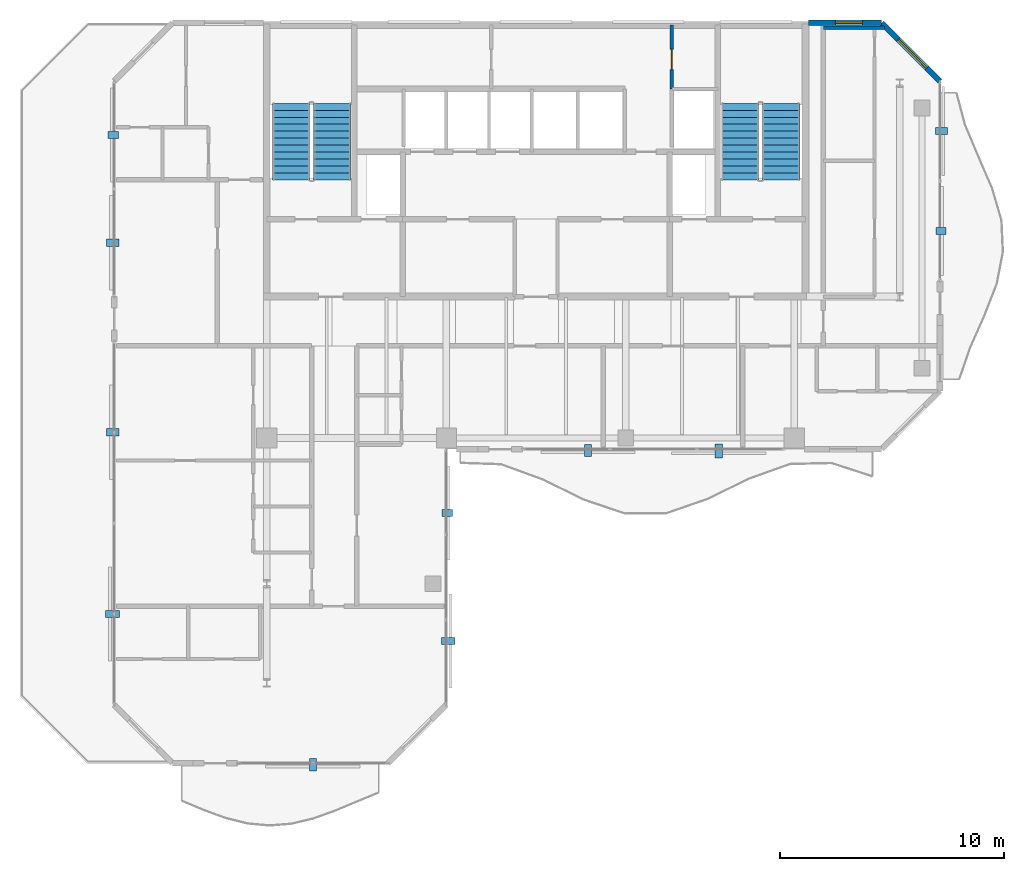
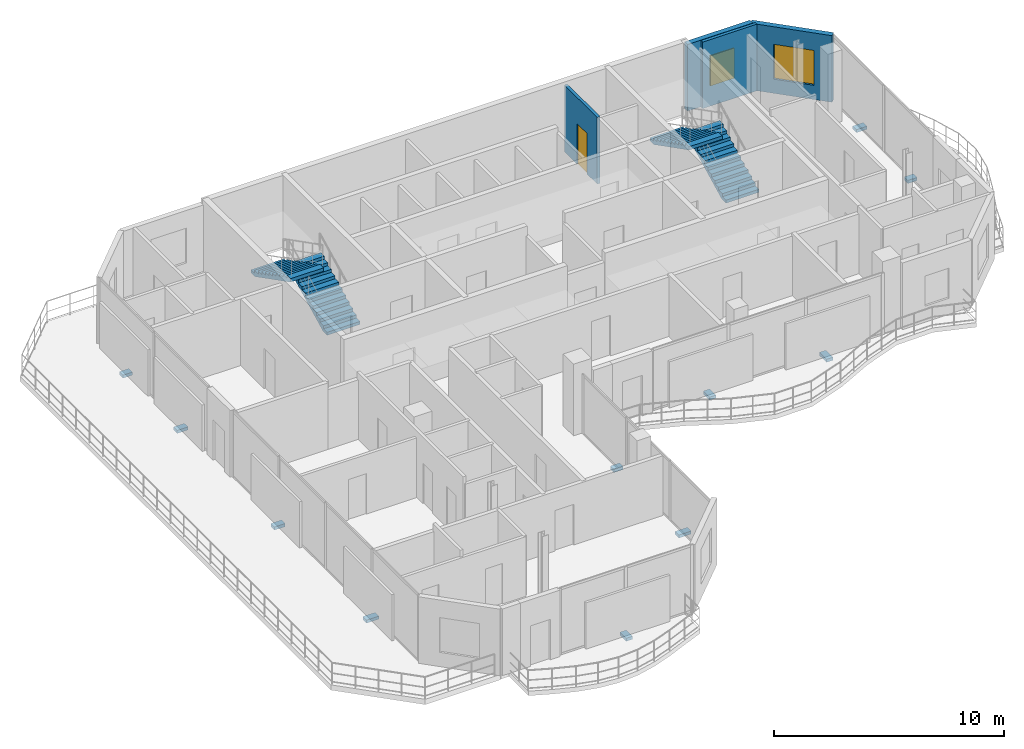
# One storey, part 16 of 18: 11 discrete accessories, 4 stair flights, 4 walls, 2 windows, 1 door, 3 openings, 2 elements without a shape of their own.
"""IFC4 building model written with IfcOpenShell, lengths in metres."""

import ifcopenshell
import ifcopenshell.guid

model = None  # the IFC model being written
_history = None  # IfcOwnerHistory: only IFC2X3 demands one
_inside = {}  # id of a spatial element -> (the spatial element, [elements in it])
_under = {}  # id of a project, library or spatial element -> (it, [spatial elements below it])
_declared = {}  # id of a project -> (the project, [libraries it declares])
_typed = {}  # id of a type object -> (the type object, [elements of that type])
_made_of = {}  # id of a material, layer set ... -> (it, [elements and type objects made of it])


def new_model(schema):
    """Start an empty IFC model of exactly this schema.

    Asked for "IFC4X3", IfcOpenShell would pick the latest addendum, in which some entities
    have other attributes; the version numbers below select the first issue.
    IFC2X3 requires an IfcOwnerHistory on every rooted entity: one is made here for all.
    """
    global model, _history
    if schema == "IFC4X3":
        model = ifcopenshell.file(schema_version=(4, 3, 0, 0))
    else:
        model = ifcopenshell.file(schema=schema)
    _inside.clear()
    _under.clear()
    _declared.clear()
    _typed.clear()
    _made_of.clear()
    _history = None
    if model.schema == "IFC2X3":
        org = make("IfcOrganization", Name="unknown")
        user = make(
            "IfcPersonAndOrganization",
            ThePerson=make("IfcPerson", FamilyName="unknown"),
            TheOrganization=org,
        )
        app = make(
            "IfcApplication",
            ApplicationDeveloper=org,
            Version="unknown",
            ApplicationFullName="unknown",
            ApplicationIdentifier="unknown",
        )
        _history = make(
            "IfcOwnerHistory",
            OwningUser=user,
            OwningApplication=app,
            ChangeAction="ADDED",
            CreationDate=0,
        )
    return model


def make(cls, **values):
    """One entity of the class cls with the attributes given. An attribute that is None is left unset."""
    return model.create_entity(
        cls, **{name: value for name, value in values.items() if value is not None}
    )


def rooted(cls, **values):
    """An entity with a GlobalId (a new one), such as an element, a storey or a relation."""
    return make(cls, GlobalId=ifcopenshell.guid.new(), OwnerHistory=_history, **values)


def si_unit(unit_type, name, prefix=None):
    """IfcSIUnit, for example si_unit("LENGTHUNIT", "METRE", prefix="MILLI")."""
    return make("IfcSIUnit", UnitType=unit_type, Prefix=prefix, Name=name)


def assignment(units):
    """IfcUnitAssignment: the units of a project."""
    return None if units is None else make("IfcUnitAssignment", Units=units)


def point(xyz):
    """IfcCartesianPoint."""
    return None if xyz is None else make("IfcCartesianPoint", Coordinates=xyz)


def direction(xyz):
    """IfcDirection."""
    return None if xyz is None else make("IfcDirection", DirectionRatios=xyz)


def frame(location, z_axis=None, x_axis=None):
    """IfcAxis2Placement3D, a coordinate frame: its origin and axes. An axis left out is left unset."""
    return make(
        "IfcAxis2Placement3D",
        Location=point(location),
        Axis=direction(z_axis),
        RefDirection=direction(x_axis),
    )


def frame_2d(location, x_axis=None):
    """IfcAxis2Placement2D, a coordinate frame in the plane: its origin and x axis."""
    return make(
        "IfcAxis2Placement2D", Location=point(location), RefDirection=direction(x_axis)
    )


def origin():
    """The frame at (0, 0, 0) with its axes left unset."""
    return frame((0.0, 0.0, 0.0))


def origin_2d():
    """The frame at (0, 0) in the plane with its x axis left unset."""
    return frame_2d((0.0, 0.0))


def place(relative_to, where):
    """IfcLocalPlacement: puts the frame where relative to a parent placement (None: the world)."""
    return make(
        "IfcLocalPlacement", PlacementRelTo=relative_to, RelativePlacement=where
    )


def context(
    kind, dimensions, precision=None, world=None, true_north=None, identifier=None
):
    """IfcGeometricRepresentationContext, for example the 3D "Model" context."""
    return make(
        "IfcGeometricRepresentationContext",
        ContextIdentifier=identifier,
        ContextType=kind,
        CoordinateSpaceDimension=dimensions,
        Precision=precision,
        WorldCoordinateSystem=world,
        TrueNorth=true_north,
    )


def subcontext(parent, identifier, kind, view, scale=None):
    """IfcGeometricRepresentationSubContext, for example "Body" below "Model"."""
    return make(
        "IfcGeometricRepresentationSubContext",
        ContextIdentifier=identifier,
        ContextType=kind,
        ParentContext=parent,
        TargetScale=scale,
        TargetView=view,
    )


def project(units=None, contexts=None):
    """IfcProject with its units and contexts."""
    return rooted(
        "IfcProject",
        Name="project",
        RepresentationContexts=contexts,
        UnitsInContext=assignment(units),
    )


def spatial(cls, under=None, at=None, **own):
    """A site, building, storey or space (cls), placed at a placement, below another one or the project."""
    s = rooted(cls, ObjectPlacement=at, **own)
    if under is not None:
        _under.setdefault(under.id(), (under, []))[1].append(s)
    return s


def polyline(points):
    """IfcPolyline through the points."""
    return make("IfcPolyline", Points=[point(p) for p in points])


def profile(cls, at=None, kind="AREA", **sizes):
    """A parametric profile (cls). Its sizes go by their IFC names, for example OverallWidth=200.0."""
    return make(cls, ProfileType=kind, Position=at, **sizes)


def rectangle(**sizes):
    """IfcRectangleProfileDef."""
    return profile("IfcRectangleProfileDef", **sizes)


def outline(outer, holes=None, kind="AREA"):
    """IfcArbitraryClosedProfileDef: a profile drawn as a closed curve; with holes, ...WithVoids."""
    if holes is None:
        return make("IfcArbitraryClosedProfileDef", ProfileType=kind, OuterCurve=outer)
    return make(
        "IfcArbitraryProfileDefWithVoids",
        ProfileType=kind,
        OuterCurve=outer,
        InnerCurves=holes,
    )


def extrude(swept, where, along, depth):
    """IfcExtrudedAreaSolid: the profile swept, set in the frame where, extruded along a direction by depth."""
    return make(
        "IfcExtrudedAreaSolid",
        SweptArea=swept,
        Position=where,
        ExtrudedDirection=direction(along),
        Depth=depth,
    )


def shape(context_of_items, identifier, shape_type, items):
    """IfcShapeRepresentation: the items that make up one representation, for example the "Body"."""
    return make(
        "IfcShapeRepresentation",
        ContextOfItems=context_of_items,
        RepresentationIdentifier=identifier,
        RepresentationType=shape_type,
        Items=items,
    )


def material(Name=None, Category=None):
    """IfcMaterial."""
    return make("IfcMaterial", Name=Name, Category=Category)


def layer(
    of_material, thickness, ventilated=None, Name=None, Category=None, Priority=None
):
    """IfcMaterialLayer: one layer of a wall or slab, of a material (None: an air gap)."""
    return make(
        "IfcMaterialLayer",
        Material=of_material,
        LayerThickness=thickness,
        IsVentilated=ventilated,
        Name=Name,
        Category=Category,
        Priority=Priority,
    )


def layer_set(layers, Name=None):
    """IfcMaterialLayerSet."""
    return make("IfcMaterialLayerSet", MaterialLayers=layers, LayerSetName=Name)


def made_of(thing, what):
    """Note that an element or type object is made of a material, layer set ...; save() writes the relation."""
    if what is not None:
        _made_of.setdefault(what.id(), (what, []))[1].append(thing)
    return thing


def type_object(cls, material=None, **own):
    """A type object (cls), such as IfcWallType, which elements share."""
    return made_of(rooted(cls, **own), material)


def element(
    cls,
    number,
    at=None,
    inside=None,
    cuts=None,
    type_object=None,
    material=None,
    context=None,
    identifier="Body",
    shape_type=None,
    held_by="IfcProductDefinitionShape",
    body=None,
    shapes=None,
    **own,
):
    """One element of the class cls, such as IfcWall. Its Tag is "e" and its number.

    at: its placement. inside: the storey or other place that contains it. cuts: it is an
    opening in that element (IfcRelVoidsElement). A single representation is given by context,
    identifier, shape_type and body (its items); several are given by shapes. held_by: the class
    of the entity that holds the representations. save() writes the other relations.
    """
    e = rooted(cls, Tag="e%d" % number, ObjectPlacement=at, **own)
    if body is not None:
        shapes = [shape(context, identifier, shape_type, body)]
    if shapes is not None:
        e.Representation = make(held_by, Representations=shapes)
    if inside is not None:
        _inside.setdefault(inside.id(), (inside, []))[1].append(e)
    if cuts is not None:
        rooted(
            "IfcRelVoidsElement", RelatingBuildingElement=cuts, RelatedOpeningElement=e
        )
    if type_object is not None:
        _typed.setdefault(type_object.id(), (type_object, []))[1].append(e)
    return made_of(e, material)


def fill(opening, filler):
    """IfcRelFillsElement: the door or window that sits in an opening."""
    return rooted(
        "IfcRelFillsElement",
        RelatingOpeningElement=opening,
        RelatedBuildingElement=filler,
    )


def aggregate(whole, parts):
    """IfcRelAggregates: a whole, such as a stair, and the parts it consists of."""
    return rooted("IfcRelAggregates", RelatingObject=whole, RelatedObjects=parts)


def save(model, path):
    """Write the relations noted so far, then the file.

    IfcRelAggregates (storeys below a building ...), IfcRelContainedInSpatialStructure (elements
    in a storey), IfcRelDefinesByType, IfcRelAssociatesMaterial and IfcRelDeclares: one each for
    every whole, place, type object, material and project.
    """
    for whole, parts in _under.values():
        aggregate(whole, parts)
    for where, things in _inside.values():
        rooted(
            "IfcRelContainedInSpatialStructure",
            RelatedElements=things,
            RelatingStructure=where,
        )
    for kind, things in _typed.values():
        rooted("IfcRelDefinesByType", RelatedObjects=things, RelatingType=kind)
    for what, things in _made_of.values():
        rooted("IfcRelAssociatesMaterial", RelatedObjects=things, RelatingMaterial=what)
    for by, libraries in _declared.values():
        rooted("IfcRelDeclares", RelatingContext=by, RelatedDefinitions=libraries)
    model.write(path)


model = new_model("IFC4")

# Units and contexts
model_context = context("Model", 3, precision=1e-05, world=origin(), true_north=direction((0.0, 1.0)))
body_context = subcontext(model_context, "Body", "Model", "MODEL_VIEW")
ifc_project = project(units=[si_unit("LENGTHUNIT", "METRE"), si_unit("AREAUNIT", "SQUARE_METRE"), si_unit("VOLUMEUNIT", "CUBIC_METRE"), si_unit("PLANEANGLEUNIT", "RADIAN"), si_unit("MASSUNIT", "GRAM", prefix="KILO")], contexts=[model_context])

# Site, building, storey
site_placement = place(None, origin())
site = spatial("IfcSite", under=ifc_project, at=site_placement, CompositionType="ELEMENT")
building_placement = place(site_placement, origin())
building = spatial("IfcBuilding", under=site, at=building_placement, Name="Catumbela Crestline Tower", CompositionType="ELEMENT")
storey_placement = place(building_placement, frame((0.0, 0.0, 264.0)))
storey = spatial("IfcBuildingStorey", under=building, at=storey_placement, Name="L68", CompositionType="ELEMENT", Elevation=264.0)

# Wall, opening, window
ifc_material_1 = material(Name="Angolan grey-ochre granite", Category="masonry")
ifc_layer_1 = layer(ifc_material_1, 0.25, Name="Angolan grey-ochre granite")
ifc_layer_set_1 = layer_set([ifc_layer_1], Name="Angolan grey-ochre granite")
wall_type_1 = type_object("IfcWallType", Name="WE-250", PredefinedType="STANDARD", material=ifc_layer_set_1)
wall_1_placement = place(storey_placement, frame((46.0, 40.4, 0.0), z_axis=(0.0, 0.0, 1.0), x_axis=(-0.707106781187, 0.707106781187, 0.0)))
wall_1 = element("IfcWall", 1, at=wall_1_placement, inside=storey, type_object=wall_type_1, Name="L68 Granite Punched Window Wall 6-1", PredefinedType="STANDARD", context=body_context, shape_type="SweptSolid", body=[
    extrude(rectangle(XDim=3.677, YDim=0.25, at=frame_2d((1.8385, 0.0))), origin(), (0.0, 0.0, 1.0), 3.53),
])
opening_1_placement = place(wall_1_placement, frame((0.8283, 0.0, 0.75)))
opening_1 = element("IfcOpeningElement", 2, at=opening_1_placement, cuts=wall_1, Name="Opening WN-01", PredefinedType="OPENING", context=body_context, shape_type="SweptSolid", body=[
    extrude(rectangle(XDim=1.8, YDim=1.85, at=frame_2d((0.9, 0.925))), frame((0.0, 0.135, 0.0), z_axis=(0.0, -1.0, 0.0), x_axis=(1.0, 0.0, 0.0)), (0.0, 0.0, 1.0), 0.27),
])
ifc_material_2 = material(Name="Low-E laminated solar-control double glazing", Category="glass")
window_type_1 = type_object("IfcWindowType", Name="WF-1800", PartitioningType="SINGLE_PANEL", PredefinedType="WINDOW", material=ifc_material_2)
window_1_placement = place(opening_1_placement, origin())
window_1 = element("IfcWindow", 3, at=window_1_placement, inside=storey, type_object=window_type_1, Name="L68 Facade Vision Window 533", OverallHeight=1.85, OverallWidth=1.8, PartitioningType="SINGLE_PANEL", PredefinedType="WINDOW", context=body_context, shape_type="SweptSolid", body=[
    extrude(rectangle(XDim=1.8, YDim=1.85, at=frame_2d((0.9, 0.925))), frame((0.0, 0.03, 0.0), z_axis=(0.0, -1.0, 0.0), x_axis=(1.0, 0.0, 0.0)), (0.0, 0.0, 1.0), 0.06),
])
fill(opening_1, window_1)

wall_2_placement = place(storey_placement, frame((43.4, 43.0, 0.0), z_axis=(0.0, 0.0, 1.0), x_axis=(-1.0, 0.0, 0.0)))
wall_2 = element("IfcWall", 4, at=wall_2_placement, inside=storey, type_object=wall_type_1, Name="L68 Granite Punched Window Wall 7-1", PredefinedType="STANDARD", context=body_context, shape_type="SweptSolid", body=[
    extrude(rectangle(XDim=3.26, YDim=0.25, at=frame_2d((1.63, 0.0))), origin(), (0.0, 0.0, 1.0), 3.53),
])
opening_2_placement = place(wall_2_placement, frame((0.86, 0.0, 0.85)))
opening_2 = element("IfcOpeningElement", 5, at=opening_2_placement, cuts=wall_2, Name="Opening WN-02", PredefinedType="OPENING", context=body_context, shape_type="SweptSolid", body=[
    extrude(rectangle(XDim=1.2, YDim=1.6, at=frame_2d((0.6, 0.8))), frame((0.0, 0.135, 0.0), z_axis=(0.0, -1.0, 0.0), x_axis=(1.0, 0.0, 0.0)), (0.0, 0.0, 1.0), 0.27),
])
window_type_2 = type_object("IfcWindowType", Name="WO-1200", PartitioningType="SINGLE_PANEL", PredefinedType="WINDOW", material=ifc_material_2)
window_2_placement = place(opening_2_placement, origin())
window_2 = element("IfcWindow", 6, at=window_2_placement, inside=storey, type_object=window_type_2, Name="L68 Facade Vision Window 534", OverallHeight=1.6, OverallWidth=1.2, PartitioningType="SINGLE_PANEL", PredefinedType="WINDOW", context=body_context, shape_type="SweptSolid", body=[
    extrude(rectangle(XDim=1.2, YDim=1.6, at=frame_2d((0.6, 0.8))), frame((0.0, 0.03, 0.0), z_axis=(0.0, -1.0, 0.0), x_axis=(1.0, 0.0, 0.0)), (0.0, 0.0, 1.0), 0.06),
])
fill(opening_2, window_2)

# Wall, opening, door
ifc_material_3 = material(Name="Acoustic gypsum and mineral-wool partition")
ifc_layer_2 = layer(ifc_material_3, 0.15, Name="Acoustic gypsum and mineral-wool partition")
ifc_layer_set_2 = layer_set([ifc_layer_2], Name="Acoustic gypsum and mineral-wool partition")
wall_type_2 = type_object("IfcWallType", Name="WP-150", PredefinedType="PARTITIONING", material=ifc_layer_set_2)
wall_3_placement = place(storey_placement, frame((34.05, 40.05, 0.0), z_axis=(0.0, 0.0, 1.0), x_axis=(0.0, 1.0, 0.0)))
wall_3 = element("IfcWall", 7, at=wall_3_placement, inside=storey, type_object=wall_type_2, Name="L68 Interior Partition PW-L68-CR-EW", PredefinedType="PARTITIONING", context=body_context, shape_type="SweptSolid", body=[
    extrude(rectangle(XDim=2.85, YDim=0.15, at=frame_2d((1.425, 0.0))), origin(), (0.0, 0.0, 1.0), 3.53),
])
opening_3_placement = place(wall_3_placement, frame((0.865, 0.0, 0.0)))
opening_3 = element("IfcOpeningElement", 8, at=opening_3_placement, cuts=wall_3, Name="Opening DF9-090", PredefinedType="OPENING", context=body_context, shape_type="SweptSolid", body=[
    extrude(rectangle(XDim=0.9, YDim=2.15, at=frame_2d((0.45, 1.075))), frame((0.0, 0.085, 0.0), z_axis=(0.0, -1.0, 0.0), x_axis=(1.0, 0.0, 0.0)), (0.0, 0.0, 1.0), 0.17),
])
ifc_material_4 = material(Name="Stainless steel EN 1.4401", Category="steel")
door_type = type_object("IfcDoorType", Name="DF9-090", OperationType="NOTDEFINED", PredefinedType="DOOR", material=ifc_material_4)
door_placement = place(opening_3_placement, origin())
door = element("IfcDoor", 9, at=door_placement, inside=storey, type_object=door_type, Name="L68 Interior Door DR-L68-CREAST", OperationType="SINGLE_SWING_RIGHT", OverallHeight=2.15, OverallWidth=0.9, PredefinedType="DOOR", context=body_context, shape_type="SweptSolid", body=[
    extrude(rectangle(XDim=0.9, YDim=2.15, at=frame_2d((0.45, 1.075))), frame((0.0, 0.025, 0.0), z_axis=(0.0, -1.0, 0.0), x_axis=(1.0, 0.0, 0.0)), (0.0, 0.0, 1.0), 0.05),
])
fill(opening_3, door)

# Wall
wall_4_placement = place(storey_placement, frame((40.8, 42.78, 0.0), z_axis=(0.0, 0.0, 1.0), x_axis=(1.0, 0.0, 0.0)))
element("IfcWall", 10, at=wall_4_placement, inside=storey, type_object=wall_type_2, Name="L68 Interior Partition PW-L68-NE1-BTH-BCL-2", PredefinedType="PARTITIONING", context=body_context, shape_type="SweptSolid", body=[
    extrude(rectangle(XDim=2.72, YDim=0.15, at=frame_2d((1.36, 0.0))), origin(), (0.0, 0.0, 1.0), 3.53),
])

# Stair, stair flights
ifc_material_5 = material(Name="Concrete C45/55", Category="concrete")
stair_type = type_object("IfcStairType", Name="ST-DLG", PredefinedType="HALF_TURN_STAIR", material=ifc_material_5)
stair_1_placement = place(storey_placement, origin())
stair_1 = element("IfcStair", 11, at=stair_1_placement, inside=storey, type_object=stair_type, Name="L68 West Core Pressurised Exit Stair ST-01", PredefinedType="HALF_TURN_STAIR")
stair_flight_type = type_object("IfcStairFlightType", Name="SF-1583", PredefinedType="STRAIGHT", material=ifc_material_5)
stair_flight_1_placement = place(storey_placement, frame((18.92, 36.0, 0.0), z_axis=(0.0, 0.0, 1.0), x_axis=(0.0, 1.0, 0.0)))
stair_flight_1 = element("IfcStairFlight", 12, at=stair_flight_1_placement, type_object=stair_flight_type, Name="ST-01 flight 1", NumberOfRisers=12, NumberOfTreads=11, PredefinedType="STRAIGHT", RiserHeight=0.158333333, TreadLength=0.31, context=body_context, shape_type="SweptSolid", body=[
    extrude(outline(polyline([(0.0, 0.0), (0.0, 0.1583), (0.31, 0.1583), (0.31, 0.3167), (0.62, 0.3167), (0.62, 0.475), (0.93, 0.475), (0.93, 0.6333), (1.24, 0.6333), (1.24, 0.7917), (1.55, 0.7917), (1.55, 0.95), (1.86, 0.95), (1.86, 1.1083), (2.17, 1.1083), (2.17, 1.2667), (2.48, 1.2667), (2.48, 1.425), (2.79, 1.425), (2.79, 1.5833), (3.1, 1.5833), (3.1, 1.7417), (3.41, 1.7417), (3.41, 1.9), (3.41, 1.562), (0.3518, 0.0), (0.0, 0.0)])), frame((0.0, 0.83, 0.0), z_axis=(0.0, -1.0, 0.0), x_axis=(1.0, 0.0, 0.0)), (0.0, 0.0, 1.0), 1.66),
])
stair_flight_2_placement = place(storey_placement, frame((17.08, 39.41, 1.9), z_axis=(0.0, 0.0, 1.0), x_axis=(0.0, -1.0, 0.0)))
stair_flight_2 = element("IfcStairFlight", 13, at=stair_flight_2_placement, type_object=stair_flight_type, Name="ST-01 flight 2", NumberOfRisers=12, NumberOfTreads=11, PredefinedType="STRAIGHT", RiserHeight=0.158333333, TreadLength=0.31, context=body_context, shape_type="SweptSolid", body=[
    extrude(outline(polyline([(0.0, 0.0), (0.0, 0.1583), (0.31, 0.1583), (0.31, 0.3167), (0.62, 0.3167), (0.62, 0.475), (0.93, 0.475), (0.93, 0.6333), (1.24, 0.6333), (1.24, 0.7917), (1.55, 0.7917), (1.55, 0.95), (1.86, 0.95), (1.86, 1.1083), (2.17, 1.1083), (2.17, 1.2667), (2.48, 1.2667), (2.48, 1.425), (2.79, 1.425), (2.79, 1.5833), (3.1, 1.5833), (3.1, 1.7417), (3.41, 1.7417), (3.41, 1.9), (3.41, 1.562), (0.3518, 0.0), (0.0, 0.0)])), frame((0.0, 0.83, 0.0), z_axis=(0.0, -1.0, 0.0), x_axis=(1.0, 0.0, 0.0)), (0.0, 0.0, 1.0), 1.66),
])
aggregate(stair_1, [stair_flight_1, stair_flight_2])

stair_2_placement = place(storey_placement, origin())
stair_2 = element("IfcStair", 14, at=stair_2_placement, inside=storey, type_object=stair_type, Name="L68 East Core Pressurised Exit Stair ST-02", PredefinedType="HALF_TURN_STAIR")
stair_flight_3_placement = place(storey_placement, frame((38.92, 36.0, 0.0), z_axis=(0.0, 0.0, 1.0), x_axis=(0.0, 1.0, 0.0)))
stair_flight_3 = element("IfcStairFlight", 15, at=stair_flight_3_placement, type_object=stair_flight_type, Name="ST-02 flight 1", NumberOfRisers=12, NumberOfTreads=11, PredefinedType="STRAIGHT", RiserHeight=0.158333333, TreadLength=0.31, context=body_context, shape_type="SweptSolid", body=[
    extrude(outline(polyline([(0.0, 0.0), (0.0, 0.1583), (0.31, 0.1583), (0.31, 0.3167), (0.62, 0.3167), (0.62, 0.475), (0.93, 0.475), (0.93, 0.6333), (1.24, 0.6333), (1.24, 0.7917), (1.55, 0.7917), (1.55, 0.95), (1.86, 0.95), (1.86, 1.1083), (2.17, 1.1083), (2.17, 1.2667), (2.48, 1.2667), (2.48, 1.425), (2.79, 1.425), (2.79, 1.5833), (3.1, 1.5833), (3.1, 1.7417), (3.41, 1.7417), (3.41, 1.9), (3.41, 1.562), (0.3518, 0.0), (0.0, 0.0)])), frame((0.0, 0.83, 0.0), z_axis=(0.0, -1.0, 0.0), x_axis=(1.0, 0.0, 0.0)), (0.0, 0.0, 1.0), 1.66),
])
stair_flight_4_placement = place(storey_placement, frame((37.08, 39.41, 1.9), z_axis=(0.0, 0.0, 1.0), x_axis=(0.0, -1.0, 0.0)))
stair_flight_4 = element("IfcStairFlight", 16, at=stair_flight_4_placement, type_object=stair_flight_type, Name="ST-02 flight 2", NumberOfRisers=12, NumberOfTreads=11, PredefinedType="STRAIGHT", RiserHeight=0.158333333, TreadLength=0.31, context=body_context, shape_type="SweptSolid", body=[
    extrude(outline(polyline([(0.0, 0.0), (0.0, 0.1583), (0.31, 0.1583), (0.31, 0.3167), (0.62, 0.3167), (0.62, 0.475), (0.93, 0.475), (0.93, 0.6333), (1.24, 0.6333), (1.24, 0.7917), (1.55, 0.7917), (1.55, 0.95), (1.86, 0.95), (1.86, 1.1083), (2.17, 1.1083), (2.17, 1.2667), (2.48, 1.2667), (2.48, 1.425), (2.79, 1.425), (2.79, 1.5833), (3.1, 1.5833), (3.1, 1.7417), (3.41, 1.7417), (3.41, 1.9), (3.41, 1.562), (0.3518, 0.0), (0.0, 0.0)])), frame((0.0, 0.83, 0.0), z_axis=(0.0, -1.0, 0.0), x_axis=(1.0, 0.0, 0.0)), (0.0, 0.0, 1.0), 1.66),
])
aggregate(stair_2, [stair_flight_3, stair_flight_4])

# Discrete accessories
discrete_accessory_type = type_object("IfcDiscreteAccessoryType", Name="BK-SS1", PredefinedType="BRACKET", material=ifc_material_4)
discrete_accessory_1_placement = place(storey_placement, frame((18.05, 9.935, -0.18), z_axis=(0.0, 0.0, 1.0), x_axis=(1.0, 0.0, 0.0)))
element("IfcDiscreteAccessory", 17, at=discrete_accessory_1_placement, inside=storey, type_object=discrete_accessory_type, Name="L68 Solar Screen Stainless Bracket 829", PredefinedType="BRACKET", context=body_context, shape_type="SweptSolid", body=[
    extrude(rectangle(XDim=0.32, YDim=0.54, at=origin_2d()), origin(), (0.0, 0.0, 1.0), 0.16),
])
discrete_accessory_2_placement = place(storey_placement, frame((24.085, 15.45, -0.18), z_axis=(0.0, 0.0, 1.0), x_axis=(0.0, 1.0, 0.0)))
element("IfcDiscreteAccessory", 18, at=discrete_accessory_2_placement, inside=storey, type_object=discrete_accessory_type, Name="L68 Solar Screen Stainless Bracket 830", PredefinedType="BRACKET", context=body_context, shape_type="SweptSolid", body=[
    extrude(rectangle(XDim=0.32, YDim=0.62, at=origin_2d()), origin(), (0.0, 0.0, 1.0), 0.16),
])
discrete_accessory_3_placement = place(storey_placement, frame((24.045, 21.15, -0.18), z_axis=(0.0, 0.0, 1.0), x_axis=(0.0, 1.0, 0.0)))
element("IfcDiscreteAccessory", 19, at=discrete_accessory_3_placement, inside=storey, type_object=discrete_accessory_type, Name="L68 Solar Screen Stainless Bracket 831", PredefinedType="BRACKET", context=body_context, shape_type="SweptSolid", body=[
    extrude(rectangle(XDim=0.32, YDim=0.46, at=origin_2d()), origin(), (0.0, 0.0, 1.0), 0.16),
])
discrete_accessory_4_placement = place(storey_placement, frame((30.3125, 23.935, -0.18), z_axis=(0.0, 0.0, 1.0), x_axis=(1.0, 0.0, 0.0)))
element("IfcDiscreteAccessory", 20, at=discrete_accessory_4_placement, inside=storey, type_object=discrete_accessory_type, Name="L68 Solar Screen Stainless Bracket 832", PredefinedType="BRACKET", context=body_context, shape_type="SweptSolid", body=[
    extrude(rectangle(XDim=0.32, YDim=0.54, at=origin_2d()), origin(), (0.0, 0.0, 1.0), 0.16),
])
discrete_accessory_5_placement = place(storey_placement, frame((36.1375, 23.915, -0.18), z_axis=(0.0, 0.0, 1.0), x_axis=(1.0, 0.0, 0.0)))
element("IfcDiscreteAccessory", 21, at=discrete_accessory_5_placement, inside=storey, type_object=discrete_accessory_type, Name="L68 Solar Screen Stainless Bracket 833", PredefinedType="BRACKET", context=body_context, shape_type="SweptSolid", body=[
    extrude(rectangle(XDim=0.32, YDim=0.62, at=origin_2d()), origin(), (0.0, 0.0, 1.0), 0.16),
])
discrete_accessory_6_placement = place(storey_placement, frame((46.045, 33.725, -0.18), z_axis=(0.0, 0.0, 1.0), x_axis=(0.0, 1.0, 0.0)))
element("IfcDiscreteAccessory", 22, at=discrete_accessory_6_placement, inside=storey, type_object=discrete_accessory_type, Name="L68 Solar Screen Stainless Bracket 834", PredefinedType="BRACKET", context=body_context, shape_type="SweptSolid", body=[
    extrude(rectangle(XDim=0.32, YDim=0.46, at=origin_2d()), origin(), (0.0, 0.0, 1.0), 0.16),
])
discrete_accessory_7_placement = place(storey_placement, frame((46.065, 38.175, -0.18), z_axis=(0.0, 0.0, 1.0), x_axis=(0.0, 1.0, 0.0)))
element("IfcDiscreteAccessory", 23, at=discrete_accessory_7_placement, inside=storey, type_object=discrete_accessory_type, Name="L68 Solar Screen Stainless Bracket 835", PredefinedType="BRACKET", context=body_context, shape_type="SweptSolid", body=[
    extrude(rectangle(XDim=0.32, YDim=0.54, at=origin_2d()), origin(), (0.0, 0.0, 1.0), 0.16),
])
discrete_accessory_8_placement = place(storey_placement, frame((9.155, 38.0, -0.18), z_axis=(0.0, 0.0, 1.0), x_axis=(0.0, -1.0, 0.0)))
element("IfcDiscreteAccessory", 24, at=discrete_accessory_8_placement, inside=storey, type_object=discrete_accessory_type, Name="L68 Solar Screen Stainless Bracket 836", PredefinedType="BRACKET", context=body_context, shape_type="SweptSolid", body=[
    extrude(rectangle(XDim=0.32, YDim=0.46, at=origin_2d()), origin(), (0.0, 0.0, 1.0), 0.16),
])
for number, where, z_axis, x_axis, name in (
    (25, (9.135, 33.2, -0.18), (0.0, 0.0, 1.0), (0.0, -1.0, 0.0), "L68 Solar Screen Stainless Bracket 837"),
    (26, (9.135, 24.75, -0.18), (0.0, 0.0, 1.0), (0.0, -1.0, 0.0), "L68 Solar Screen Stainless Bracket 838"),
):
    element("IfcDiscreteAccessory", number, at=place(storey_placement, frame(where, z_axis=z_axis, x_axis=x_axis)), inside=storey, type_object=discrete_accessory_type, Name=name, PredefinedType="BRACKET", context=body_context, shape_type="SweptSolid", body=[
        extrude(rectangle(XDim=0.32, YDim=0.54, at=origin_2d()), origin(), (0.0, 0.0, 1.0), 0.16),
    ])
discrete_accessory_9_placement = place(storey_placement, frame((9.115, 16.65, -0.18), z_axis=(0.0, 0.0, 1.0), x_axis=(0.0, -1.0, 0.0)))
element("IfcDiscreteAccessory", 27, at=discrete_accessory_9_placement, inside=storey, type_object=discrete_accessory_type, Name="L68 Solar Screen Stainless Bracket 839", PredefinedType="BRACKET", context=body_context, shape_type="SweptSolid", body=[
    extrude(rectangle(XDim=0.32, YDim=0.62, at=origin_2d()), origin(), (0.0, 0.0, 1.0), 0.16),
])

save(model, "model.ifc")
